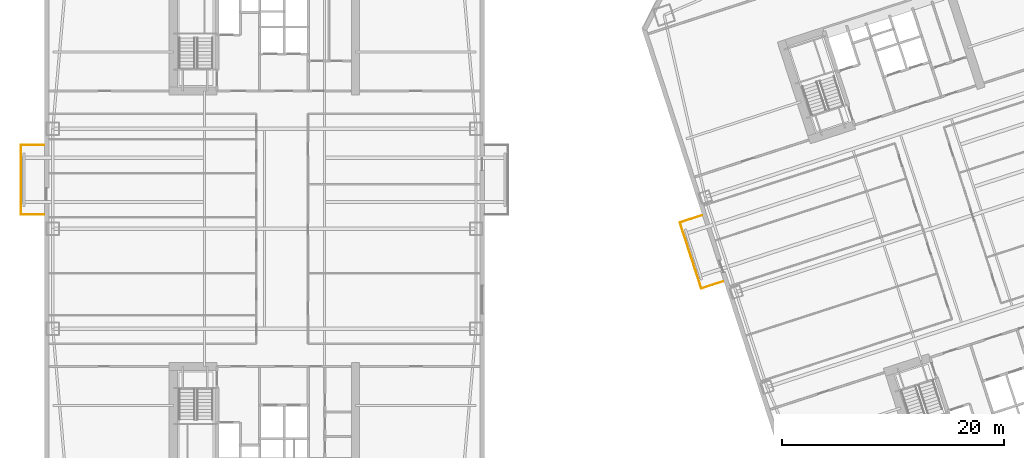
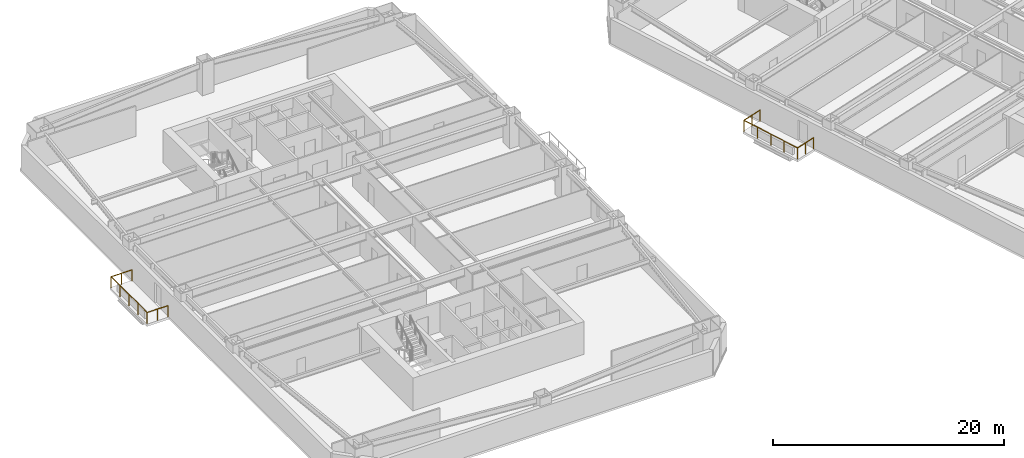
# One storey, part 12 of 15: 2 railings.
"""IFC4 building model written with IfcOpenShell, lengths in metres."""

import ifcopenshell
import ifcopenshell.guid

model = None  # the IFC model being written
_history = None  # IfcOwnerHistory: only IFC2X3 demands one
_inside = {}  # id of a spatial element -> (the spatial element, [elements in it])
_under = {}  # id of a project, library or spatial element -> (it, [spatial elements below it])
_declared = {}  # id of a project -> (the project, [libraries it declares])
_typed = {}  # id of a type object -> (the type object, [elements of that type])
_made_of = {}  # id of a material, layer set ... -> (it, [elements and type objects made of it])


def new_model(schema):
    """Start an empty IFC model of exactly this schema.

    Asked for "IFC4X3", IfcOpenShell would pick the latest addendum, in which some entities
    have other attributes; the version numbers below select the first issue.
    IFC2X3 requires an IfcOwnerHistory on every rooted entity: one is made here for all.
    """
    global model, _history
    if schema == "IFC4X3":
        model = ifcopenshell.file(schema_version=(4, 3, 0, 0))
    else:
        model = ifcopenshell.file(schema=schema)
    _inside.clear()
    _under.clear()
    _declared.clear()
    _typed.clear()
    _made_of.clear()
    _history = None
    if model.schema == "IFC2X3":
        org = make("IfcOrganization", Name="unknown")
        user = make(
            "IfcPersonAndOrganization",
            ThePerson=make("IfcPerson", FamilyName="unknown"),
            TheOrganization=org,
        )
        app = make(
            "IfcApplication",
            ApplicationDeveloper=org,
            Version="unknown",
            ApplicationFullName="unknown",
            ApplicationIdentifier="unknown",
        )
        _history = make(
            "IfcOwnerHistory",
            OwningUser=user,
            OwningApplication=app,
            ChangeAction="ADDED",
            CreationDate=0,
        )
    return model


def make(cls, **values):
    """One entity of the class cls with the attributes given. An attribute that is None is left unset."""
    return model.create_entity(
        cls, **{name: value for name, value in values.items() if value is not None}
    )


def rooted(cls, **values):
    """An entity with a GlobalId (a new one), such as an element, a storey or a relation."""
    return make(cls, GlobalId=ifcopenshell.guid.new(), OwnerHistory=_history, **values)


def si_unit(unit_type, name, prefix=None):
    """IfcSIUnit, for example si_unit("LENGTHUNIT", "METRE", prefix="MILLI")."""
    return make("IfcSIUnit", UnitType=unit_type, Prefix=prefix, Name=name)


def assignment(units):
    """IfcUnitAssignment: the units of a project."""
    return None if units is None else make("IfcUnitAssignment", Units=units)


def point(xyz):
    """IfcCartesianPoint."""
    return None if xyz is None else make("IfcCartesianPoint", Coordinates=xyz)


def direction(xyz):
    """IfcDirection."""
    return None if xyz is None else make("IfcDirection", DirectionRatios=xyz)


def frame(location, z_axis=None, x_axis=None):
    """IfcAxis2Placement3D, a coordinate frame: its origin and axes. An axis left out is left unset."""
    return make(
        "IfcAxis2Placement3D",
        Location=point(location),
        Axis=direction(z_axis),
        RefDirection=direction(x_axis),
    )


def frame_2d(location, x_axis=None):
    """IfcAxis2Placement2D, a coordinate frame in the plane: its origin and x axis."""
    return make(
        "IfcAxis2Placement2D", Location=point(location), RefDirection=direction(x_axis)
    )


def origin():
    """The frame at (0, 0, 0) with its axes left unset."""
    return frame((0.0, 0.0, 0.0))


def origin_2d():
    """The frame at (0, 0) in the plane with its x axis left unset."""
    return frame_2d((0.0, 0.0))


def place(relative_to, where):
    """IfcLocalPlacement: puts the frame where relative to a parent placement (None: the world)."""
    return make(
        "IfcLocalPlacement", PlacementRelTo=relative_to, RelativePlacement=where
    )


def context(
    kind, dimensions, precision=None, world=None, true_north=None, identifier=None
):
    """IfcGeometricRepresentationContext, for example the 3D "Model" context."""
    return make(
        "IfcGeometricRepresentationContext",
        ContextIdentifier=identifier,
        ContextType=kind,
        CoordinateSpaceDimension=dimensions,
        Precision=precision,
        WorldCoordinateSystem=world,
        TrueNorth=true_north,
    )


def subcontext(parent, identifier, kind, view, scale=None):
    """IfcGeometricRepresentationSubContext, for example "Body" below "Model"."""
    return make(
        "IfcGeometricRepresentationSubContext",
        ContextIdentifier=identifier,
        ContextType=kind,
        ParentContext=parent,
        TargetScale=scale,
        TargetView=view,
    )


def project(units=None, contexts=None):
    """IfcProject with its units and contexts."""
    return rooted(
        "IfcProject",
        Name="project",
        RepresentationContexts=contexts,
        UnitsInContext=assignment(units),
    )


def spatial(cls, under=None, at=None, **own):
    """A site, building, storey or space (cls), placed at a placement, below another one or the project."""
    s = rooted(cls, ObjectPlacement=at, **own)
    if under is not None:
        _under.setdefault(under.id(), (under, []))[1].append(s)
    return s


def profile(cls, at=None, kind="AREA", **sizes):
    """A parametric profile (cls). Its sizes go by their IFC names, for example OverallWidth=200.0."""
    return make(cls, ProfileType=kind, Position=at, **sizes)


def circle(**sizes):
    """IfcCircleProfileDef."""
    return profile("IfcCircleProfileDef", **sizes)


def extrude(swept, where, along, depth):
    """IfcExtrudedAreaSolid: the profile swept, set in the frame where, extruded along a direction by depth."""
    return make(
        "IfcExtrudedAreaSolid",
        SweptArea=swept,
        Position=where,
        ExtrudedDirection=direction(along),
        Depth=depth,
    )


def shape(context_of_items, identifier, shape_type, items):
    """IfcShapeRepresentation: the items that make up one representation, for example the "Body"."""
    return make(
        "IfcShapeRepresentation",
        ContextOfItems=context_of_items,
        RepresentationIdentifier=identifier,
        RepresentationType=shape_type,
        Items=items,
    )


def material(Name=None, Category=None):
    """IfcMaterial."""
    return make("IfcMaterial", Name=Name, Category=Category)


def made_of(thing, what):
    """Note that an element or type object is made of a material, layer set ...; save() writes the relation."""
    if what is not None:
        _made_of.setdefault(what.id(), (what, []))[1].append(thing)
    return thing


def type_object(cls, material=None, **own):
    """A type object (cls), such as IfcWallType, which elements share."""
    return made_of(rooted(cls, **own), material)


def element(
    cls,
    number,
    at=None,
    inside=None,
    cuts=None,
    type_object=None,
    material=None,
    context=None,
    identifier="Body",
    shape_type=None,
    held_by="IfcProductDefinitionShape",
    body=None,
    shapes=None,
    **own,
):
    """One element of the class cls, such as IfcWall. Its Tag is "e" and its number.

    at: its placement. inside: the storey or other place that contains it. cuts: it is an
    opening in that element (IfcRelVoidsElement). A single representation is given by context,
    identifier, shape_type and body (its items); several are given by shapes. held_by: the class
    of the entity that holds the representations. save() writes the other relations.
    """
    e = rooted(cls, Tag="e%d" % number, ObjectPlacement=at, **own)
    if body is not None:
        shapes = [shape(context, identifier, shape_type, body)]
    if shapes is not None:
        e.Representation = make(held_by, Representations=shapes)
    if inside is not None:
        _inside.setdefault(inside.id(), (inside, []))[1].append(e)
    if cuts is not None:
        rooted(
            "IfcRelVoidsElement", RelatingBuildingElement=cuts, RelatedOpeningElement=e
        )
    if type_object is not None:
        _typed.setdefault(type_object.id(), (type_object, []))[1].append(e)
    return made_of(e, material)


def aggregate(whole, parts):
    """IfcRelAggregates: a whole, such as a stair, and the parts it consists of."""
    return rooted("IfcRelAggregates", RelatingObject=whole, RelatedObjects=parts)


def save(model, path):
    """Write the relations noted so far, then the file.

    IfcRelAggregates (storeys below a building ...), IfcRelContainedInSpatialStructure (elements
    in a storey), IfcRelDefinesByType, IfcRelAssociatesMaterial and IfcRelDeclares: one each for
    every whole, place, type object, material and project.
    """
    for whole, parts in _under.values():
        aggregate(whole, parts)
    for where, things in _inside.values():
        rooted(
            "IfcRelContainedInSpatialStructure",
            RelatedElements=things,
            RelatingStructure=where,
        )
    for kind, things in _typed.values():
        rooted("IfcRelDefinesByType", RelatedObjects=things, RelatingType=kind)
    for what, things in _made_of.values():
        rooted("IfcRelAssociatesMaterial", RelatedObjects=things, RelatingMaterial=what)
    for by, libraries in _declared.values():
        rooted("IfcRelDeclares", RelatingContext=by, RelatedDefinitions=libraries)
    model.write(path)


model = new_model("IFC4")

# Units and contexts
model_context = context("Model", 3, precision=1e-05, world=origin(), true_north=direction((0.0, 1.0)))
body_context = subcontext(model_context, "Body", "Model", "MODEL_VIEW")
ifc_project = project(units=[si_unit("LENGTHUNIT", "METRE"), si_unit("AREAUNIT", "SQUARE_METRE"), si_unit("VOLUMEUNIT", "CUBIC_METRE"), si_unit("PLANEANGLEUNIT", "RADIAN"), si_unit("MASSUNIT", "GRAM", prefix="KILO")], contexts=[model_context])

# Site, building, storey
site_placement = place(None, origin())
site = spatial("IfcSite", under=ifc_project, at=site_placement, CompositionType="ELEMENT")
building_placement = place(site_placement, origin())
building = spatial("IfcBuilding", under=site, at=building_placement, Name="Qiaolan Cultural Towers", CompositionType="ELEMENT")
storey_placement = place(building_placement, frame((0.0, 0.0, 50.60009765625)))
storey = spatial("IfcBuildingStorey", under=building, at=storey_placement, Name="L11", CompositionType="ELEMENT", Elevation=50.60009765625)

# Railings
ifc_material = material(Name="Laminated SentryGlas & Stainless Steel S31608 Balustrade", Category="steel")
railing_type = type_object("IfcRailingType", Name="GRD-TERR-1200", PredefinedType="BALUSTRADE", material=ifc_material)
railing_1_placement = place(storey_placement, frame((10.14990234375, 35.280029296875, 0.0)))
element("IfcRailing", 1, at=railing_1_placement, inside=storey, type_object=railing_type, Name="L11 T1 Tree Balcony Guardrail W", PredefinedType="BALUSTRADE", context=body_context, shape_type="SweptSolid", body=[
    extrude(circle(Radius=0.02392578125, at=origin_2d()), frame((0.0, 0.0, 1.17578125), z_axis=(-1.0, 0.0, 0.0), x_axis=(0.0, -1.0, 0.0)), (0.0, 0.0, 1.0), 2.06982421875),
    extrude(circle(Radius=0.02392578125, at=origin_2d()), frame((-2.06982421875, 0.0, 1.17578125), z_axis=(0.0, 1.0, 0.0), x_axis=(-1.0, 0.0, 0.0)), (0.0, 0.0, 1.0), 6.239990234375),
    extrude(circle(Radius=0.02392578125, at=origin_2d()), frame((-2.06982421875, 6.239990234375, 1.17578125), z_axis=(1.0, 0.0, 0.0), x_axis=(0.0, 1.0, 0.0)), (0.0, 0.0, 1.0), 2.06982421875),
    extrude(circle(Radius=0.02099609375, at=origin_2d()), origin(), (0.0, 0.0, 1.0), 1.15185546875),
    extrude(circle(Radius=0.02099609375, at=origin_2d()), frame((-1.034912109375, 0.0, 0.0)), (0.0, 0.0, 1.0), 1.15185546875),
    extrude(circle(Radius=0.02099609375, at=origin_2d()), frame((-2.06982421875, 0.0, 0.0)), (0.0, 0.0, 1.0), 1.15185546875),
    extrude(circle(Radius=0.02099609375, at=origin_2d()), frame((-2.06982421875, 1.56005859375, 0.0)), (0.0, 0.0, 1.0), 1.15185546875),
    extrude(circle(Radius=0.02099609375, at=origin_2d()), frame((-2.06982421875, 3.1201171875, 0.0)), (0.0, 0.0, 1.0), 1.15185546875),
    extrude(circle(Radius=0.02099609375, at=origin_2d()), frame((-2.06982421875, 4.679931640625, 0.0)), (0.0, 0.0, 1.0), 1.15185546875),
    extrude(circle(Radius=0.02099609375, at=origin_2d()), frame((-2.06982421875, 6.239990234375, 0.0)), (0.0, 0.0, 1.0), 1.15185546875),
    extrude(circle(Radius=0.02099609375, at=origin_2d()), frame((-1.034912109375, 6.239990234375, 0.0)), (0.0, 0.0, 1.0), 1.15185546875),
    extrude(circle(Radius=0.02099609375, at=origin_2d()), frame((0.0, 6.239990234375, 0.0)), (0.0, 0.0, 1.0), 1.15185546875),
])
railing_2_placement = place(storey_placement, frame((71.296630859375, 29.268798828125, 0.0)))
element("IfcRailing", 2, at=railing_2_placement, inside=storey, type_object=railing_type, Name="L11 T2 Tree Balcony Guardrail W", PredefinedType="BALUSTRADE", context=body_context, shape_type="SweptSolid", body=[
    extrude(circle(Radius=0.02392578125, at=origin_2d()), frame((0.0, 0.0, 1.17578125), z_axis=(-0.951061799618, -0.309000733507, 0.0), x_axis=(0.309000733507, -0.951061799618, 0.0)), (0.0, 0.0, 1.0), 2.070068359375),
    extrude(circle(Radius=0.02392578125, at=origin_2d()), frame((-1.96875, -0.6396484375, 1.17578125), z_axis=(-0.30901175762, 0.951058217804, 0.0), x_axis=(-0.951058217804, -0.30901175762, 0.0)), (0.0, 0.0, 1.0), 6.239990234375),
    extrude(circle(Radius=0.02392578125, at=origin_2d()), frame((-3.89697265625, 5.294921875, 1.17578125), z_axis=(0.951061799618, 0.309000733507, 0.0), x_axis=(-0.309000733507, 0.951061799618, 0.0)), (0.0, 0.0, 1.0), 2.070068359375),
    extrude(circle(Radius=0.02099609375, at=origin_2d()), origin(), (0.0, 0.0, 1.0), 1.15185546875),
    extrude(circle(Radius=0.02099609375, at=origin_2d()), frame((-0.984375, -0.31982421875, 0.0)), (0.0, 0.0, 1.0), 1.15185546875),
    extrude(circle(Radius=0.02099609375, at=origin_2d()), frame((-1.96875, -0.6396484375, 0.0)), (0.0, 0.0, 1.0), 1.15185546875),
    extrude(circle(Radius=0.02099609375, at=origin_2d()), frame((-2.45068359375, 0.843994140625, 0.0)), (0.0, 0.0, 1.0), 1.15185546875),
    extrude(circle(Radius=0.02099609375, at=origin_2d()), frame((-2.932861328125, 2.32763671875, 0.0)), (0.0, 0.0, 1.0), 1.15185546875),
    extrude(circle(Radius=0.02099609375, at=origin_2d()), frame((-3.4150390625, 3.811279296875, 0.0)), (0.0, 0.0, 1.0), 1.15185546875),
    extrude(circle(Radius=0.02099609375, at=origin_2d()), frame((-3.89697265625, 5.294921875, 0.0)), (0.0, 0.0, 1.0), 1.15185546875),
    extrude(circle(Radius=0.02099609375, at=origin_2d()), frame((-2.91259765625, 5.61474609375, 0.0)), (0.0, 0.0, 1.0), 1.15185546875),
    extrude(circle(Radius=0.02099609375, at=origin_2d()), frame((-1.92822265625, 5.9345703125, 0.0)), (0.0, 0.0, 1.0), 1.15185546875),
])

save(model, "model.ifc")
